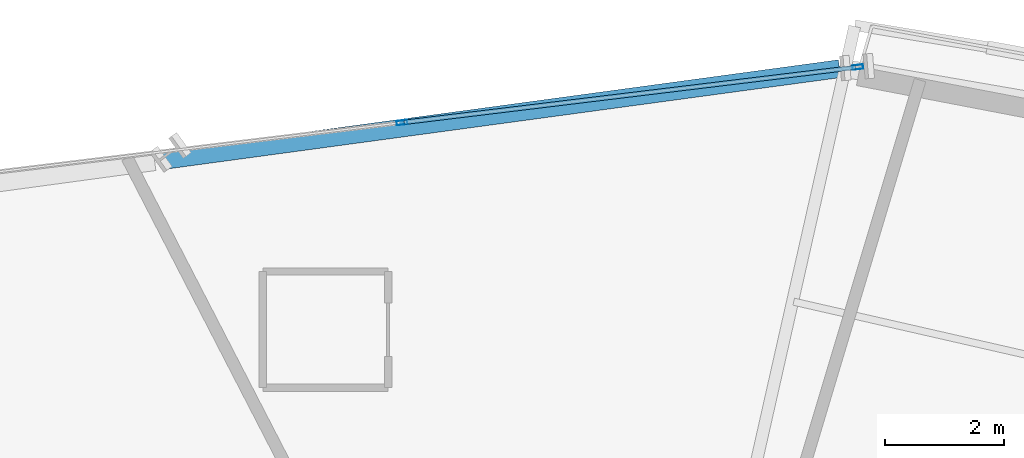
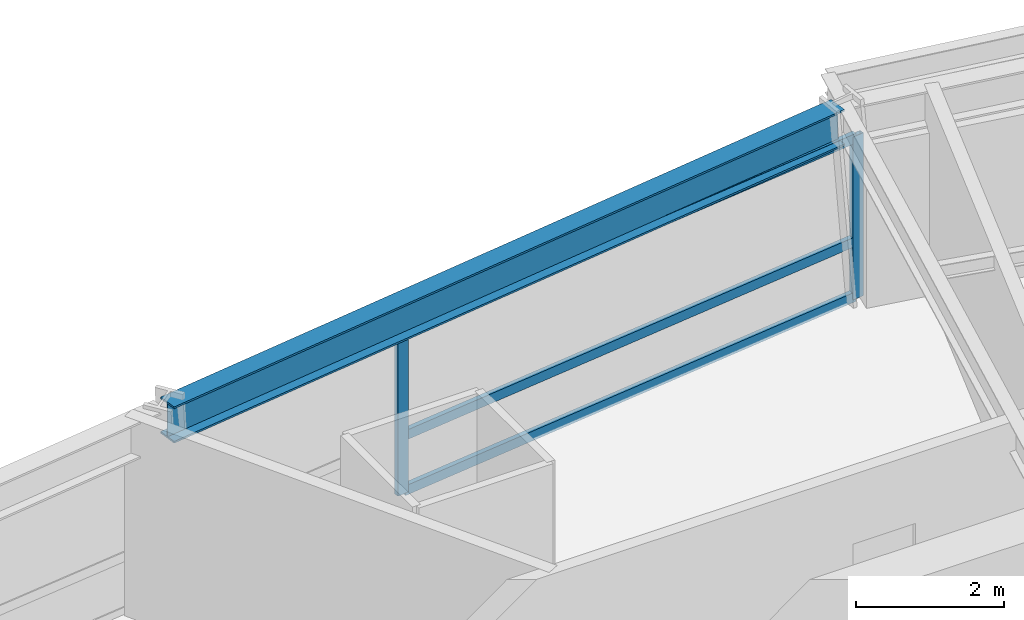
# One storey, part 8 of 18: 5 members, 1 beam, 1 element without a shape of its own.
"""IFC4 building model written with IfcOpenShell, lengths in metres."""

from ifc_helpers import new_model, si_unit, direction, frame, origin, origin_2d, place, context, subcontext, project, spatial, hollow_rectangle, i_section, extrude, source, transform, mapped, material, material_profile, profile_set, type_object, element, aggregate, save


model = new_model("IFC4")

# Units and contexts
model_context = context("Model", 3, precision=1e-05, world=origin(), true_north=direction((0.0, 1.0)))
body_context = subcontext(model_context, "Body", "Model", "MODEL_VIEW")
ifc_project = project(units=[si_unit("LENGTHUNIT", "METRE"), si_unit("AREAUNIT", "SQUARE_METRE"), si_unit("VOLUMEUNIT", "CUBIC_METRE"), si_unit("PLANEANGLEUNIT", "RADIAN"), si_unit("MASSUNIT", "GRAM", prefix="KILO")], contexts=[model_context])

# Site, building, storey
site_placement = place(None, origin())
site = spatial("IfcSite", under=ifc_project, at=site_placement, CompositionType="ELEMENT")
building_placement = place(site_placement, origin())
building = spatial("IfcBuilding", under=site, at=building_placement, Name="Olszyna Solenne Hotel", CompositionType="ELEMENT")
storey_placement = place(building_placement, frame((0.0, 0.0, 123.449951171875)))
storey = spatial("IfcBuildingStorey", under=building, at=storey_placement, Name="L32", CompositionType="ELEMENT", Elevation=123.449951171875)

# Beam
ifc_material_1 = material(Name="Steel S355J2", Category="steel")
ifc_material_profile_1 = material_profile(ifc_material_1, i_section(OverallWidth=0.300048828125, OverallDepth=0.60009765625, WebThickness=0.015380859375, FlangeThickness=0.030029296875, at=origin_2d()), Name="HEB 600", Category="load-bearing")
ifc_profile_set_1 = profile_set([ifc_material_profile_1], Name="Steel S355J2")
beam_type = type_object("IfcBeamType", Name="BM-S2", PredefinedType="BEAM", material=ifc_profile_set_1)
shared_shape_1 = source(origin(), body_context, "Body", "SweptSolid", [
    extrude(i_section(OverallWidth=0.300048828125, OverallDepth=0.60009765625, WebThickness=0.015380859375, FlangeThickness=0.030029296875, at=origin_2d()), origin(), (0.0, 0.0, 1.0), 11.478515625),
])
beam_placement = place(storey_placement, frame((41.7880859375, 43.92041015625, 3.0), z_axis=(-0.990915521198, -0.134485797947, 0.0), x_axis=(0.134485797947, -0.990915521198, 0.0)))
element("IfcBeam", 1, at=beam_placement, inside=storey, type_object=beam_type, Name="Perimeter spandrel beam BM-S2 B-L32-0959", PredefinedType="BEAM", context=body_context, shape_type="MappedRepresentation", body=[
    mapped(shared_shape_1, transform((0.0, 0.0, 0.0), x_axis=(1.0, 0.0, 0.0), y_axis=(0.0, 1.0, 0.0), z_axis=(0.0, 0.0, 1.0), scale=1.0)),
])

# Curtain wall, members
ifc_material_2 = material(Name="Anodised bronze aluminium", Category="aluminium")
curtain_wall_type = type_object("IfcCurtainWallType", Name="CW-SYS-3", PredefinedType="NOTDEFINED", material=ifc_material_2)
curtain_wall_placement = place(storey_placement, origin())
curtain_wall = element("IfcCurtainWall", 2, at=curtain_wall_placement, inside=storey, type_object=curtain_wall_type, Name="Unitised curtain wall CW-SYS-3 CW-L32-02", PredefinedType="NOTDEFINED")
ifc_material_profile_2 = material_profile(ifc_material_2, hollow_rectangle(XDim=0.074951171875, YDim=0.179931640625, WallThickness=0.00439453125, at=origin_2d()), Name="MULL 180x75x4.5", Category="load-bearing")
ifc_profile_set_2 = profile_set([ifc_material_profile_2], Name="Anodised bronze aluminium")
member_type_1 = type_object("IfcMemberType", Name="CW-M2", PredefinedType="MULLION", material=ifc_profile_set_2)
shared_shape_2 = source(origin(), body_context, "Body", "SweptSolid", [
    extrude(hollow_rectangle(XDim=0.074951171875, YDim=0.179931640625, WallThickness=0.00439453125, at=origin_2d()), origin(), (0.0, 0.0, 1.0), 2.692138671875),
])
member_1_placement = place(storey_placement, frame((34.4453125, 43.015625, 0.0), z_axis=(0.0, 0.0, 1.0), x_axis=(-0.120877245476, 0.992667462711, 0.0)))
member_1 = element("IfcMember", 3, at=member_1_placement, type_object=member_type_1, Name="Curtain-wall mullion CW-M2 CM-L32-02-03", PredefinedType="MULLION", context=body_context, shape_type="MappedRepresentation", body=[
    mapped(shared_shape_2, transform((0.0, 0.0, 0.0), x_axis=(1.0, 0.0, 0.0), y_axis=(0.0, 1.0, 0.0), z_axis=(0.0, 0.0, 1.0), scale=1.0)),
])
member_2_placement = place(storey_placement, frame((42.09423828125, 43.947021484375, 0.0), z_axis=(0.0, 0.0, 1.0), x_axis=(-0.120877245476, 0.992667462711, 0.0)))
member_2 = element("IfcMember", 4, at=member_2_placement, type_object=member_type_1, Name="Curtain-wall mullion CW-M2 CM-L32-02-04", PredefinedType="MULLION", context=body_context, shape_type="MappedRepresentation", body=[
    mapped(shared_shape_2, transform((0.0, 0.0, 0.0), x_axis=(1.0, 0.0, 0.0), y_axis=(0.0, 1.0, 0.0), z_axis=(0.0, 0.0, 1.0), scale=1.0)),
])
ifc_material_profile_3 = material_profile(ifc_material_2, hollow_rectangle(XDim=0.074951171875, YDim=0.159912109375, WallThickness=0.00390625, at=origin_2d()), Name="TRAN 160x75x4", Category="load-bearing")
ifc_profile_set_3 = profile_set([ifc_material_profile_3], Name="Anodised bronze aluminium")
member_type_2 = type_object("IfcMemberType", Name="CW-T1", PredefinedType="USERDEFINED", material=ifc_profile_set_3)
shared_shape_3 = source(origin(), body_context, "Body", "SweptSolid", [
    extrude(hollow_rectangle(XDim=0.074951171875, YDim=0.159912109375, WallThickness=0.00390625, at=origin_2d()), origin(), (0.0, 0.0, 1.0), 7.63037109375),
])
member_3_placement = place(storey_placement, frame((34.482666015625, 43.02001953125, 0.03759765625), z_axis=(0.992667148921, 0.120879822357, 0.0), x_axis=(-0.120879822357, 0.992667148921, 0.0)))
member_3 = element("IfcMember", 5, at=member_3_placement, type_object=member_type_2, Name="Curtain-wall transom CW-T1 CT-L32-02-07", ObjectType="TRANSOM", PredefinedType="USERDEFINED", context=body_context, shape_type="MappedRepresentation", body=[
    mapped(shared_shape_3, transform((0.0, 0.0, 0.0), x_axis=(1.0, 0.0, 0.0), y_axis=(0.0, 1.0, 0.0), z_axis=(0.0, 0.0, 1.0), scale=1.0)),
])
member_4_placement = place(storey_placement, frame((34.482666015625, 43.02001953125, 0.949951171875), z_axis=(0.992667148921, 0.120879822357, 0.0), x_axis=(-0.120879822357, 0.992667148921, 0.0)))
member_4 = element("IfcMember", 6, at=member_4_placement, type_object=member_type_2, Name="Curtain-wall transom CW-T1 CT-L32-02-08", ObjectType="TRANSOM", PredefinedType="USERDEFINED", context=body_context, shape_type="MappedRepresentation", body=[
    mapped(shared_shape_3, transform((0.0, 0.0, 0.0), x_axis=(1.0, 0.0, 0.0), y_axis=(0.0, 1.0, 0.0), z_axis=(0.0, 0.0, 1.0), scale=1.0)),
])
member_5_placement = place(storey_placement, frame((34.482666015625, 43.02001953125, 2.654541015625), z_axis=(0.992667148921, 0.120879822357, 0.0), x_axis=(-0.120879822357, 0.992667148921, 0.0)))
member_5 = element("IfcMember", 7, at=member_5_placement, type_object=member_type_2, Name="Curtain-wall transom CW-T1 CT-L32-02-09", ObjectType="TRANSOM", PredefinedType="USERDEFINED", context=body_context, shape_type="MappedRepresentation", body=[
    mapped(shared_shape_3, transform((0.0, 0.0, 0.0), x_axis=(1.0, 0.0, 0.0), y_axis=(0.0, 1.0, 0.0), z_axis=(0.0, 0.0, 1.0), scale=1.0)),
])
aggregate(curtain_wall, [member_1, member_2, member_3, member_4, member_5])

save(model, "model.ifc")
